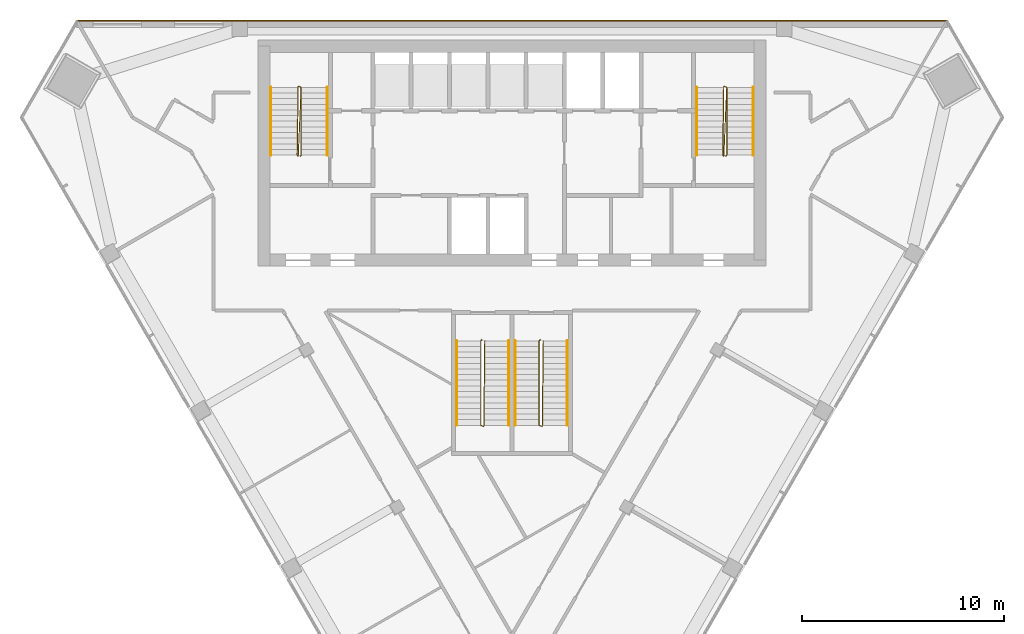
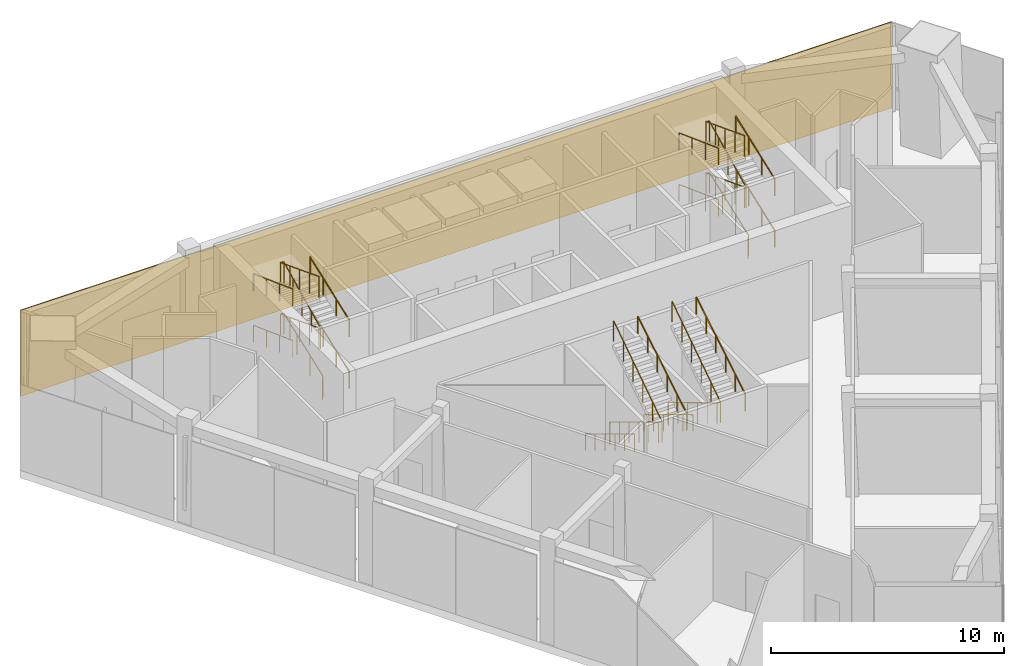
# One storey, part 9 of 10: 16 railings, 1 covering.
"""IFC4 building model written with IfcOpenShell, lengths in metres."""

import ifcopenshell
import ifcopenshell.guid

model = None  # the IFC model being written
_history = None  # IfcOwnerHistory: only IFC2X3 demands one
_inside = {}  # id of a spatial element -> (the spatial element, [elements in it])
_under = {}  # id of a project, library or spatial element -> (it, [spatial elements below it])
_declared = {}  # id of a project -> (the project, [libraries it declares])
_typed = {}  # id of a type object -> (the type object, [elements of that type])
_made_of = {}  # id of a material, layer set ... -> (it, [elements and type objects made of it])


def new_model(schema):
    """Start an empty IFC model of exactly this schema.

    Asked for "IFC4X3", IfcOpenShell would pick the latest addendum, in which some entities
    have other attributes; the version numbers below select the first issue.
    IFC2X3 requires an IfcOwnerHistory on every rooted entity: one is made here for all.
    """
    global model, _history
    if schema == "IFC4X3":
        model = ifcopenshell.file(schema_version=(4, 3, 0, 0))
    else:
        model = ifcopenshell.file(schema=schema)
    _inside.clear()
    _under.clear()
    _declared.clear()
    _typed.clear()
    _made_of.clear()
    _history = None
    if model.schema == "IFC2X3":
        org = make("IfcOrganization", Name="unknown")
        user = make(
            "IfcPersonAndOrganization",
            ThePerson=make("IfcPerson", FamilyName="unknown"),
            TheOrganization=org,
        )
        app = make(
            "IfcApplication",
            ApplicationDeveloper=org,
            Version="unknown",
            ApplicationFullName="unknown",
            ApplicationIdentifier="unknown",
        )
        _history = make(
            "IfcOwnerHistory",
            OwningUser=user,
            OwningApplication=app,
            ChangeAction="ADDED",
            CreationDate=0,
        )
    return model


def make(cls, **values):
    """One entity of the class cls with the attributes given. An attribute that is None is left unset."""
    return model.create_entity(
        cls, **{name: value for name, value in values.items() if value is not None}
    )


def rooted(cls, **values):
    """An entity with a GlobalId (a new one), such as an element, a storey or a relation."""
    return make(cls, GlobalId=ifcopenshell.guid.new(), OwnerHistory=_history, **values)


def si_unit(unit_type, name, prefix=None):
    """IfcSIUnit, for example si_unit("LENGTHUNIT", "METRE", prefix="MILLI")."""
    return make("IfcSIUnit", UnitType=unit_type, Prefix=prefix, Name=name)


def assignment(units):
    """IfcUnitAssignment: the units of a project."""
    return None if units is None else make("IfcUnitAssignment", Units=units)


def point(xyz):
    """IfcCartesianPoint."""
    return None if xyz is None else make("IfcCartesianPoint", Coordinates=xyz)


def direction(xyz):
    """IfcDirection."""
    return None if xyz is None else make("IfcDirection", DirectionRatios=xyz)


def frame(location, z_axis=None, x_axis=None):
    """IfcAxis2Placement3D, a coordinate frame: its origin and axes. An axis left out is left unset."""
    return make(
        "IfcAxis2Placement3D",
        Location=point(location),
        Axis=direction(z_axis),
        RefDirection=direction(x_axis),
    )


def frame_2d(location, x_axis=None):
    """IfcAxis2Placement2D, a coordinate frame in the plane: its origin and x axis."""
    return make(
        "IfcAxis2Placement2D", Location=point(location), RefDirection=direction(x_axis)
    )


def origin():
    """The frame at (0, 0, 0) with its axes left unset."""
    return frame((0.0, 0.0, 0.0))


def origin_2d():
    """The frame at (0, 0) in the plane with its x axis left unset."""
    return frame_2d((0.0, 0.0))


def place(relative_to, where):
    """IfcLocalPlacement: puts the frame where relative to a parent placement (None: the world)."""
    return make(
        "IfcLocalPlacement", PlacementRelTo=relative_to, RelativePlacement=where
    )


def context(
    kind, dimensions, precision=None, world=None, true_north=None, identifier=None
):
    """IfcGeometricRepresentationContext, for example the 3D "Model" context."""
    return make(
        "IfcGeometricRepresentationContext",
        ContextIdentifier=identifier,
        ContextType=kind,
        CoordinateSpaceDimension=dimensions,
        Precision=precision,
        WorldCoordinateSystem=world,
        TrueNorth=true_north,
    )


def subcontext(parent, identifier, kind, view, scale=None):
    """IfcGeometricRepresentationSubContext, for example "Body" below "Model"."""
    return make(
        "IfcGeometricRepresentationSubContext",
        ContextIdentifier=identifier,
        ContextType=kind,
        ParentContext=parent,
        TargetScale=scale,
        TargetView=view,
    )


def project(units=None, contexts=None):
    """IfcProject with its units and contexts."""
    return rooted(
        "IfcProject",
        Name="project",
        RepresentationContexts=contexts,
        UnitsInContext=assignment(units),
    )


def spatial(cls, under=None, at=None, **own):
    """A site, building, storey or space (cls), placed at a placement, below another one or the project."""
    s = rooted(cls, ObjectPlacement=at, **own)
    if under is not None:
        _under.setdefault(under.id(), (under, []))[1].append(s)
    return s


def profile(cls, at=None, kind="AREA", **sizes):
    """A parametric profile (cls). Its sizes go by their IFC names, for example OverallWidth=200.0."""
    return make(cls, ProfileType=kind, Position=at, **sizes)


def rectangle(**sizes):
    """IfcRectangleProfileDef."""
    return profile("IfcRectangleProfileDef", **sizes)


def circle(**sizes):
    """IfcCircleProfileDef."""
    return profile("IfcCircleProfileDef", **sizes)


def extrude(swept, where, along, depth):
    """IfcExtrudedAreaSolid: the profile swept, set in the frame where, extruded along a direction by depth."""
    return make(
        "IfcExtrudedAreaSolid",
        SweptArea=swept,
        Position=where,
        ExtrudedDirection=direction(along),
        Depth=depth,
    )


def shape(context_of_items, identifier, shape_type, items):
    """IfcShapeRepresentation: the items that make up one representation, for example the "Body"."""
    return make(
        "IfcShapeRepresentation",
        ContextOfItems=context_of_items,
        RepresentationIdentifier=identifier,
        RepresentationType=shape_type,
        Items=items,
    )


def material(Name=None, Category=None):
    """IfcMaterial."""
    return make("IfcMaterial", Name=Name, Category=Category)


def layer(
    of_material, thickness, ventilated=None, Name=None, Category=None, Priority=None
):
    """IfcMaterialLayer: one layer of a wall or slab, of a material (None: an air gap)."""
    return make(
        "IfcMaterialLayer",
        Material=of_material,
        LayerThickness=thickness,
        IsVentilated=ventilated,
        Name=Name,
        Category=Category,
        Priority=Priority,
    )


def layer_set(layers, Name=None):
    """IfcMaterialLayerSet."""
    return make("IfcMaterialLayerSet", MaterialLayers=layers, LayerSetName=Name)


def made_of(thing, what):
    """Note that an element or type object is made of a material, layer set ...; save() writes the relation."""
    if what is not None:
        _made_of.setdefault(what.id(), (what, []))[1].append(thing)
    return thing


def type_object(cls, material=None, **own):
    """A type object (cls), such as IfcWallType, which elements share."""
    return made_of(rooted(cls, **own), material)


def element(
    cls,
    number,
    at=None,
    inside=None,
    cuts=None,
    type_object=None,
    material=None,
    context=None,
    identifier="Body",
    shape_type=None,
    held_by="IfcProductDefinitionShape",
    body=None,
    shapes=None,
    **own,
):
    """One element of the class cls, such as IfcWall. Its Tag is "e" and its number.

    at: its placement. inside: the storey or other place that contains it. cuts: it is an
    opening in that element (IfcRelVoidsElement). A single representation is given by context,
    identifier, shape_type and body (its items); several are given by shapes. held_by: the class
    of the entity that holds the representations. save() writes the other relations.
    """
    e = rooted(cls, Tag="e%d" % number, ObjectPlacement=at, **own)
    if body is not None:
        shapes = [shape(context, identifier, shape_type, body)]
    if shapes is not None:
        e.Representation = make(held_by, Representations=shapes)
    if inside is not None:
        _inside.setdefault(inside.id(), (inside, []))[1].append(e)
    if cuts is not None:
        rooted(
            "IfcRelVoidsElement", RelatingBuildingElement=cuts, RelatedOpeningElement=e
        )
    if type_object is not None:
        _typed.setdefault(type_object.id(), (type_object, []))[1].append(e)
    return made_of(e, material)


def aggregate(whole, parts):
    """IfcRelAggregates: a whole, such as a stair, and the parts it consists of."""
    return rooted("IfcRelAggregates", RelatingObject=whole, RelatedObjects=parts)


def save(model, path):
    """Write the relations noted so far, then the file.

    IfcRelAggregates (storeys below a building ...), IfcRelContainedInSpatialStructure (elements
    in a storey), IfcRelDefinesByType, IfcRelAssociatesMaterial and IfcRelDeclares: one each for
    every whole, place, type object, material and project.
    """
    for whole, parts in _under.values():
        aggregate(whole, parts)
    for where, things in _inside.values():
        rooted(
            "IfcRelContainedInSpatialStructure",
            RelatedElements=things,
            RelatingStructure=where,
        )
    for kind, things in _typed.values():
        rooted("IfcRelDefinesByType", RelatedObjects=things, RelatingType=kind)
    for what, things in _made_of.values():
        rooted("IfcRelAssociatesMaterial", RelatedObjects=things, RelatingMaterial=what)
    for by, libraries in _declared.values():
        rooted("IfcRelDeclares", RelatingContext=by, RelatedDefinitions=libraries)
    model.write(path)


model = new_model("IFC4")

# Units and contexts
model_context = context("Model", 3, precision=1e-05, world=origin(), true_north=direction((0.0, 1.0)))
body_context = subcontext(model_context, "Body", "Model", "MODEL_VIEW")
ifc_project = project(units=[si_unit("LENGTHUNIT", "METRE"), si_unit("AREAUNIT", "SQUARE_METRE"), si_unit("VOLUMEUNIT", "CUBIC_METRE"), si_unit("PLANEANGLEUNIT", "RADIAN"), si_unit("MASSUNIT", "GRAM", prefix="KILO")], contexts=[model_context])

# Site, building, storey
site_placement = place(None, origin())
site = spatial("IfcSite", under=ifc_project, at=site_placement, CompositionType="ELEMENT")
building_placement = place(site_placement, origin())
building = spatial("IfcBuilding", under=site, at=building_placement, Name="Altiplano Prism Tower", CompositionType="ELEMENT")
storey_placement = place(building_placement, frame((0.0, 0.0, 233.800048828125)))
storey = spatial("IfcBuildingStorey", under=building, at=storey_placement, Name="L60", CompositionType="ELEMENT", Elevation=233.800048828125)

# Railings
ifc_material_1 = material(Name="Steel S355", Category="steel")
railing_type_1 = type_object("IfcRailingType", Name="Stair guard 1100", PredefinedType="GUARDRAIL", material=ifc_material_1)
railing_1_placement = place(storey_placement, frame((74.5, 98.25, 0.0)))
element("IfcRailing", 1, at=railing_1_placement, inside=storey, type_object=railing_type_1, Name="L60 ST1 stair guard 1", PredefinedType="GUARDRAIL", context=body_context, shape_type="SweptSolid", body=[
    extrude(circle(Radius=0.02392578125, at=origin_2d()), frame((0.0, 0.0, 1.076171875), z_axis=(0.398471624337, 0.398471624337, 0.826099708992), x_axis=(-0.707106781187, 0.707106781187, 0.0)), (0.0, 0.0, 1.0), 0.12548828125),
    extrude(circle(Radius=0.02392578125, at=origin_2d()), frame((0.050048828125, 0.050048828125, 1.1796875), z_axis=(0.0, 0.937594165028, 0.347731479313), x_axis=(-1.0, 0.0, 0.0)), (0.0, 0.0, 1.0), 3.58349609375),
    extrude(circle(Radius=0.02392578125, at=origin_2d()), frame((0.050048828125, 3.409912109375, 2.42578125), z_axis=(-0.948683298051, 0.316227766017, 0.0), x_axis=(-0.316227766017, -0.948683298051, 0.0)), (0.0, 0.0, 1.0), 0.158203125),
    extrude(circle(Radius=0.02392578125, at=origin_2d()), frame((-0.10009765625, 3.4599609375, 2.42578125), z_axis=(-0.013578905562, -0.929689088164, 0.368094841952), x_axis=(0.999893351539, -0.01460429897, 0.0)), (0.0, 0.0, 1.0), 3.667724609375),
    extrude(circle(Radius=0.02392578125, at=origin_2d()), frame((-0.14990234375, 0.050048828125, 3.77587890625), z_axis=(0.705375805398, -0.708833529934, 0.0), x_axis=(0.708833529934, 0.705375805398, 0.0)), (0.0, 0.0, 1.0), 0.070556640625),
    extrude(circle(Radius=0.02392578125, at=origin_2d()), frame((-0.10009765625, 0.0, 3.77587890625), z_axis=(0.040905914243, 0.928996592253, 0.367820659781), x_axis=(-0.99903198295, 0.043989737919, 0.0)), (0.0, 0.0, 1.0), 3.670654296875),
    extrude(circle(Radius=0.02392578125, at=origin_2d()), frame((0.050048828125, 3.409912109375, 5.1259765625), z_axis=(-0.948683298051, 0.316227766017, 0.0), x_axis=(-0.316227766017, -0.948683298051, 0.0)), (0.0, 0.0, 1.0), 0.158203125),
    extrude(circle(Radius=0.02392578125, at=origin_2d()), frame((-0.10009765625, 3.4599609375, 5.1259765625), z_axis=(-0.013579238249, -0.929711865806, 0.368037295485), x_axis=(0.999893351539, -0.01460429897, 0.0)), (0.0, 0.0, 1.0), 3.667724609375),
    extrude(circle(Radius=0.02099609375, at=origin_2d()), origin(), (0.0, 0.0, 1.0), 1.052001953125),
    extrude(circle(Radius=0.02099609375, at=origin_2d()), frame((0.050048828125, 0.050048828125, 0.103759765625)), (0.0, 0.0, 1.0), 1.052001953125),
    extrude(circle(Radius=0.02099609375, at=origin_2d()), frame((0.050048828125, 1.169921875, 0.51904296875)), (0.0, 0.0, 1.0), 1.052001953125),
    extrude(circle(Radius=0.02099609375, at=origin_2d()), frame((0.050048828125, 2.2900390625, 0.9345703125)), (0.0, 0.0, 1.0), 1.052001953125),
    extrude(circle(Radius=0.02099609375, at=origin_2d()), frame((0.050048828125, 3.409912109375, 1.349853515625)), (0.0, 0.0, 1.0), 1.052001953125),
    extrude(circle(Radius=0.02099609375, at=origin_2d()), frame((-0.10009765625, 3.4599609375, 1.349853515625)), (0.0, 0.0, 1.0), 1.052001953125),
    extrude(circle(Radius=0.02099609375, at=origin_2d()), frame((-0.112548828125, 2.607421875, 1.6875)), (0.0, 0.0, 1.0), 1.052001953125),
    extrude(circle(Radius=0.02099609375, at=origin_2d()), frame((-0.125, 1.7548828125, 2.02490234375)), (0.0, 0.0, 1.0), 1.052001953125),
    extrude(circle(Radius=0.02099609375, at=origin_2d()), frame((-0.137451171875, 0.902587890625, 2.3623046875)), (0.0, 0.0, 1.0), 1.052001953125),
    extrude(circle(Radius=0.02099609375, at=origin_2d()), frame((-0.14990234375, 0.050048828125, 2.699951171875)), (0.0, 0.0, 1.0), 1.052001953125),
    extrude(circle(Radius=0.02099609375, at=origin_2d()), frame((-0.10009765625, 0.0, 2.699951171875)), (0.0, 0.0, 1.0), 1.052001953125),
    extrude(circle(Radius=0.02099609375, at=origin_2d()), frame((-0.0625, 0.8525390625, 3.03759765625)), (0.0, 0.0, 1.0), 1.052001953125),
    extrude(circle(Radius=0.02099609375, at=origin_2d()), frame((-0.02490234375, 1.705078125, 3.375)), (0.0, 0.0, 1.0), 1.052001953125),
    extrude(circle(Radius=0.02099609375, at=origin_2d()), frame((0.012451171875, 2.557373046875, 3.71240234375)), (0.0, 0.0, 1.0), 1.052001953125),
    extrude(circle(Radius=0.02099609375, at=origin_2d()), frame((0.050048828125, 3.409912109375, 4.050048828125)), (0.0, 0.0, 1.0), 1.052001953125),
    extrude(circle(Radius=0.02099609375, at=origin_2d()), frame((-0.10009765625, 3.4599609375, 4.050048828125)), (0.0, 0.0, 1.0), 1.052001953125),
    extrude(circle(Radius=0.02099609375, at=origin_2d()), frame((-0.112548828125, 2.607421875, 4.387451171875)), (0.0, 0.0, 1.0), 1.052001953125),
    extrude(circle(Radius=0.02099609375, at=origin_2d()), frame((-0.125, 1.7548828125, 4.72509765625)), (0.0, 0.0, 1.0), 1.052001953125),
    extrude(circle(Radius=0.02099609375, at=origin_2d()), frame((-0.137451171875, 0.902587890625, 5.0625)), (0.0, 0.0, 1.0), 1.052001953125),
    extrude(circle(Radius=0.02099609375, at=origin_2d()), frame((-0.14990234375, 0.050048828125, 5.39990234375)), (0.0, 0.0, 1.0), 1.052001953125),
])
railing_2_placement = place(storey_placement, frame((95.60009765625, 98.25, 0.0)))
element("IfcRailing", 2, at=railing_2_placement, inside=storey, type_object=railing_type_1, Name="L60 ST2 stair guard 1", PredefinedType="GUARDRAIL", context=body_context, shape_type="SweptSolid", body=[
    extrude(circle(Radius=0.02392578125, at=origin_2d()), frame((0.0, 0.0, 1.076171875), z_axis=(0.396834591399, 0.398779859004, 0.826738732081), x_axis=(-0.708833529934, 0.705375805398, 0.0)), (0.0, 0.0, 1.0), 0.12548828125),
    extrude(circle(Radius=0.02392578125, at=origin_2d()), frame((0.0498046875, 0.050048828125, 1.1796875), z_axis=(0.0, 0.937594165028, 0.347731479313), x_axis=(-1.0, 0.0, 0.0)), (0.0, 0.0, 1.0), 3.58349609375),
    extrude(circle(Radius=0.02392578125, at=origin_2d()), frame((0.0498046875, 3.409912109375, 2.42578125), z_axis=(-0.948528701346, 0.316691178788, 0.0), x_axis=(-0.316691178788, -0.948528701346, 0.0)), (0.0, 0.0, 1.0), 0.157958984375),
    extrude(circle(Radius=0.02392578125, at=origin_2d()), frame((-0.10009765625, 3.4599609375, 2.42578125), z_axis=(-0.013645456461, -0.929688245801, 0.368094508433), x_axis=(0.999892303572, -0.014675873289, 0.0)), (0.0, 0.0, 1.0), 3.667724609375),
    extrude(circle(Radius=0.02392578125, at=origin_2d()), frame((-0.150146484375, 0.050048828125, 3.77587890625), z_axis=(0.707106781187, -0.707106781187, 0.0), x_axis=(0.707106781187, 0.707106781187, 0.0)), (0.0, 0.0, 1.0), 0.07080078125),
    extrude(circle(Radius=0.02392578125, at=origin_2d()), frame((-0.10009765625, 0.0, 3.77587890625), z_axis=(0.040839511588, 0.928999117825, 0.367821659739), x_axis=(-0.999035123863, 0.043918347967, 0.0)), (0.0, 0.0, 1.0), 3.67041015625),
    extrude(circle(Radius=0.02392578125, at=origin_2d()), frame((0.0498046875, 3.409912109375, 5.1259765625), z_axis=(-0.948528701346, 0.316691178788, 0.0), x_axis=(-0.316691178788, -0.948528701346, 0.0)), (0.0, 0.0, 1.0), 0.157958984375),
    extrude(circle(Radius=0.02392578125, at=origin_2d()), frame((-0.10009765625, 3.4599609375, 5.1259765625), z_axis=(-0.013645790778, -0.92971102338, 0.368036962001), x_axis=(0.999892303572, -0.014675873289, 0.0)), (0.0, 0.0, 1.0), 3.667724609375),
    extrude(circle(Radius=0.02099609375, at=origin_2d()), origin(), (0.0, 0.0, 1.0), 1.052001953125),
    extrude(circle(Radius=0.02099609375, at=origin_2d()), frame((0.0498046875, 0.050048828125, 0.103759765625)), (0.0, 0.0, 1.0), 1.052001953125),
    extrude(circle(Radius=0.02099609375, at=origin_2d()), frame((0.0498046875, 1.169921875, 0.51904296875)), (0.0, 0.0, 1.0), 1.052001953125),
    extrude(circle(Radius=0.02099609375, at=origin_2d()), frame((0.0498046875, 2.2900390625, 0.9345703125)), (0.0, 0.0, 1.0), 1.052001953125),
    extrude(circle(Radius=0.02099609375, at=origin_2d()), frame((0.0498046875, 3.409912109375, 1.349853515625)), (0.0, 0.0, 1.0), 1.052001953125),
    extrude(circle(Radius=0.02099609375, at=origin_2d()), frame((-0.10009765625, 3.4599609375, 1.349853515625)), (0.0, 0.0, 1.0), 1.052001953125),
    extrude(circle(Radius=0.02099609375, at=origin_2d()), frame((-0.112548828125, 2.607421875, 1.6875)), (0.0, 0.0, 1.0), 1.052001953125),
    extrude(circle(Radius=0.02099609375, at=origin_2d()), frame((-0.125, 1.7548828125, 2.02490234375)), (0.0, 0.0, 1.0), 1.052001953125),
    extrude(circle(Radius=0.02099609375, at=origin_2d()), frame((-0.1376953125, 0.902587890625, 2.3623046875)), (0.0, 0.0, 1.0), 1.052001953125),
    extrude(circle(Radius=0.02099609375, at=origin_2d()), frame((-0.150146484375, 0.050048828125, 2.699951171875)), (0.0, 0.0, 1.0), 1.052001953125),
    extrude(circle(Radius=0.02099609375, at=origin_2d()), frame((-0.10009765625, 0.0, 2.699951171875)), (0.0, 0.0, 1.0), 1.052001953125),
    extrude(circle(Radius=0.02099609375, at=origin_2d()), frame((-0.0625, 0.8525390625, 3.03759765625)), (0.0, 0.0, 1.0), 1.052001953125),
    extrude(circle(Radius=0.02099609375, at=origin_2d()), frame((-0.025146484375, 1.705078125, 3.375)), (0.0, 0.0, 1.0), 1.052001953125),
    extrude(circle(Radius=0.02099609375, at=origin_2d()), frame((0.01220703125, 2.557373046875, 3.71240234375)), (0.0, 0.0, 1.0), 1.052001953125),
    extrude(circle(Radius=0.02099609375, at=origin_2d()), frame((0.0498046875, 3.409912109375, 4.050048828125)), (0.0, 0.0, 1.0), 1.052001953125),
    extrude(circle(Radius=0.02099609375, at=origin_2d()), frame((-0.10009765625, 3.4599609375, 4.050048828125)), (0.0, 0.0, 1.0), 1.052001953125),
    extrude(circle(Radius=0.02099609375, at=origin_2d()), frame((-0.112548828125, 2.607421875, 4.387451171875)), (0.0, 0.0, 1.0), 1.052001953125),
    extrude(circle(Radius=0.02099609375, at=origin_2d()), frame((-0.125, 1.7548828125, 4.72509765625)), (0.0, 0.0, 1.0), 1.052001953125),
    extrude(circle(Radius=0.02099609375, at=origin_2d()), frame((-0.1376953125, 0.902587890625, 5.0625)), (0.0, 0.0, 1.0), 1.052001953125),
    extrude(circle(Radius=0.02099609375, at=origin_2d()), frame((-0.150146484375, 0.050048828125, 5.39990234375)), (0.0, 0.0, 1.0), 1.052001953125),
])
railing_3_placement = place(storey_placement, frame((83.5, 89.14990234375, 0.0)))
element("IfcRailing", 3, at=railing_3_placement, inside=storey, type_object=railing_type_1, Name="L60 ST3A stair guard 1", PredefinedType="GUARDRAIL", context=body_context, shape_type="SweptSolid", body=[
    extrude(circle(Radius=0.02392578125, at=origin_2d()), frame((0.0, 0.0, 1.076171875), z_axis=(-0.273668752699, -0.272333783174, 0.922463942026), x_axis=(0.705375805398, -0.708833529934, 0.0)), (0.0, 0.0, 1.0), 0.182861328125),
    extrude(circle(Radius=0.02392578125, at=origin_2d()), frame((-0.050048828125, -0.0498046875, 1.24462890625), z_axis=(0.0, -0.856489757249, 0.516164020179), x_axis=(1.0, 0.0, 0.0)), (0.0, 0.0, 1.0), 4.904052734375),
    extrude(circle(Radius=0.02392578125, at=origin_2d()), frame((-0.050048828125, -4.25, 3.77587890625), z_axis=(0.949145278916, -0.314838433982, 0.0), x_axis=(0.314838433982, 0.949145278916, 0.0)), (0.0, 0.0, 1.0), 0.158203125),
    extrude(circle(Radius=0.02392578125, at=origin_2d()), frame((0.10009765625, -4.2998046875, 3.77587890625), z_axis=(0.009891014468, 0.844033234581, 0.536199651955), x_axis=(-0.999931342521, 0.01171794542, 0.0)), (0.0, 0.0, 1.0), 5.035400390625),
    extrude(circle(Radius=0.02099609375, at=origin_2d()), origin(), (0.0, 0.0, 1.0), 1.052001953125),
    extrude(circle(Radius=0.02099609375, at=origin_2d()), frame((-0.050048828125, -0.0498046875, 0.168701171875)), (0.0, 0.0, 1.0), 1.052001953125),
    extrude(circle(Radius=0.02099609375, at=origin_2d()), frame((-0.050048828125, -0.889892578125, 0.675048828125)), (0.0, 0.0, 1.0), 1.052001953125),
    extrude(circle(Radius=0.02099609375, at=origin_2d()), frame((-0.050048828125, -1.72998046875, 1.18115234375)), (0.0, 0.0, 1.0), 1.052001953125),
    extrude(circle(Radius=0.02099609375, at=origin_2d()), frame((-0.050048828125, -2.56982421875, 1.6875)), (0.0, 0.0, 1.0), 1.052001953125),
    extrude(circle(Radius=0.02099609375, at=origin_2d()), frame((-0.050048828125, -3.409912109375, 2.193603515625)), (0.0, 0.0, 1.0), 1.052001953125),
    extrude(circle(Radius=0.02099609375, at=origin_2d()), frame((-0.050048828125, -4.25, 2.699951171875)), (0.0, 0.0, 1.0), 1.052001953125),
    extrude(circle(Radius=0.02099609375, at=origin_2d()), frame((0.10009765625, -4.2998046875, 2.699951171875)), (0.0, 0.0, 1.0), 1.052001953125),
    extrude(circle(Radius=0.02099609375, at=origin_2d()), frame((0.110107421875, -3.44970703125, 3.239990234375)), (0.0, 0.0, 1.0), 1.052001953125),
    extrude(circle(Radius=0.02099609375, at=origin_2d()), frame((0.1201171875, -2.599853515625, 3.780029296875)), (0.0, 0.0, 1.0), 1.052001953125),
    extrude(circle(Radius=0.02099609375, at=origin_2d()), frame((0.1298828125, -1.749755859375, 4.31982421875)), (0.0, 0.0, 1.0), 1.052001953125),
    extrude(circle(Radius=0.02099609375, at=origin_2d()), frame((0.139892578125, -0.89990234375, 4.85986328125)), (0.0, 0.0, 1.0), 1.052001953125),
    extrude(circle(Radius=0.02099609375, at=origin_2d()), frame((0.14990234375, -0.0498046875, 5.39990234375)), (0.0, 0.0, 1.0), 1.052001953125),
])
railing_4_placement = place(storey_placement, frame((86.39990234375, 89.14990234375, 0.0)))
element("IfcRailing", 4, at=railing_4_placement, inside=storey, type_object=railing_type_1, Name="L60 ST3B stair guard 1", PredefinedType="GUARDRAIL", context=body_context, shape_type="SweptSolid", body=[
    extrude(circle(Radius=0.02392578125, at=origin_2d()), frame((0.0, 0.0, 1.076171875), z_axis=(-0.272433089069, -0.272433089069, 0.922800316407), x_axis=(0.707106781187, -0.707106781187, 0.0)), (0.0, 0.0, 1.0), 0.182861328125),
    extrude(circle(Radius=0.02392578125, at=origin_2d()), frame((-0.0498046875, -0.0498046875, 1.24462890625), z_axis=(0.0, -0.856489757249, 0.516164020179), x_axis=(1.0, 0.0, 0.0)), (0.0, 0.0, 1.0), 4.904052734375),
    extrude(circle(Radius=0.02392578125, at=origin_2d()), frame((-0.0498046875, -4.25, 3.77587890625), z_axis=(0.948991962702, -0.315300261223, 0.0), x_axis=(0.315300261223, 0.948991962702, 0.0)), (0.0, 0.0, 1.0), 0.157958984375),
    extrude(circle(Radius=0.02392578125, at=origin_2d()), frame((0.10009765625, -4.2998046875, 3.77587890625), z_axis=(0.009939495054, 0.844032828816, 0.53619939418), x_axis=(-0.999930667828, 0.011775378384, 0.0)), (0.0, 0.0, 1.0), 5.035400390625),
    extrude(circle(Radius=0.02099609375, at=origin_2d()), origin(), (0.0, 0.0, 1.0), 1.052001953125),
    extrude(circle(Radius=0.02099609375, at=origin_2d()), frame((-0.0498046875, -0.0498046875, 0.168701171875)), (0.0, 0.0, 1.0), 1.052001953125),
    extrude(circle(Radius=0.02099609375, at=origin_2d()), frame((-0.0498046875, -0.889892578125, 0.675048828125)), (0.0, 0.0, 1.0), 1.052001953125),
    extrude(circle(Radius=0.02099609375, at=origin_2d()), frame((-0.0498046875, -1.72998046875, 1.18115234375)), (0.0, 0.0, 1.0), 1.052001953125),
    extrude(circle(Radius=0.02099609375, at=origin_2d()), frame((-0.0498046875, -2.56982421875, 1.6875)), (0.0, 0.0, 1.0), 1.052001953125),
    extrude(circle(Radius=0.02099609375, at=origin_2d()), frame((-0.0498046875, -3.409912109375, 2.193603515625)), (0.0, 0.0, 1.0), 1.052001953125),
    extrude(circle(Radius=0.02099609375, at=origin_2d()), frame((-0.0498046875, -4.25, 2.699951171875)), (0.0, 0.0, 1.0), 1.052001953125),
    extrude(circle(Radius=0.02099609375, at=origin_2d()), frame((0.10009765625, -4.2998046875, 2.699951171875)), (0.0, 0.0, 1.0), 1.052001953125),
    extrude(circle(Radius=0.02099609375, at=origin_2d()), frame((0.110107421875, -3.44970703125, 3.239990234375)), (0.0, 0.0, 1.0), 1.052001953125),
    extrude(circle(Radius=0.02099609375, at=origin_2d()), frame((0.1201171875, -2.599853515625, 3.780029296875)), (0.0, 0.0, 1.0), 1.052001953125),
    extrude(circle(Radius=0.02099609375, at=origin_2d()), frame((0.130126953125, -1.749755859375, 4.31982421875)), (0.0, 0.0, 1.0), 1.052001953125),
    extrude(circle(Radius=0.02099609375, at=origin_2d()), frame((0.14013671875, -0.89990234375, 4.85986328125)), (0.0, 0.0, 1.0), 1.052001953125),
    extrude(circle(Radius=0.02099609375, at=origin_2d()), frame((0.150146484375, -0.0498046875, 5.39990234375)), (0.0, 0.0, 1.0), 1.052001953125),
])
railing_type_2 = type_object("IfcRailingType", Name="Stair handrail 900", PredefinedType="HANDRAIL", material=ifc_material_1)
railing_5_placement = place(storey_placement, frame((75.85009765625, 98.300048828125, 0.103759765625)))
element("IfcRailing", 5, at=railing_5_placement, inside=storey, type_object=railing_type_2, Name="L60 ST1 stair handrail 1", PredefinedType="HANDRAIL", context=body_context, shape_type="SweptSolid", body=[
    extrude(circle(Radius=0.02392578125, at=origin_2d()), frame((0.0, 0.0, 0.8759765625), z_axis=(0.0, 0.937594165028, 0.347731479313), x_axis=(-1.0, 0.0, 0.0)), (0.0, 0.0, 1.0), 3.58349609375),
    extrude(circle(Radius=0.02099609375, at=origin_2d()), origin(), (0.0, 0.0, 1.0), 0.851806640625),
    extrude(circle(Radius=0.02099609375, at=origin_2d()), frame((0.0, 1.119873046875, 0.415283203125)), (0.0, 0.0, 1.0), 0.851806640625),
    extrude(circle(Radius=0.02099609375, at=origin_2d()), frame((0.0, 2.239990234375, 0.830810546875)), (0.0, 0.0, 1.0), 0.851806640625),
    extrude(circle(Radius=0.02099609375, at=origin_2d()), frame((0.0, 3.35986328125, 1.24609375)), (0.0, 0.0, 1.0), 0.851806640625),
])
railing_6_placement = place(storey_placement, frame((73.050048828125, 101.659912109375, 1.453857421875)))
element("IfcRailing", 6, at=railing_6_placement, inside=storey, type_object=railing_type_2, Name="L60 ST1 stair handrail 2", PredefinedType="HANDRAIL", context=body_context, shape_type="SweptSolid", body=[
    extrude(circle(Radius=0.02392578125, at=origin_2d()), frame((0.0, 0.0, 0.8759765625), z_axis=(0.0, -0.937594165028, 0.347731479313), x_axis=(1.0, 0.0, 0.0)), (0.0, 0.0, 1.0), 3.58349609375),
    extrude(circle(Radius=0.02099609375, at=origin_2d()), origin(), (0.0, 0.0, 1.0), 0.851806640625),
    extrude(circle(Radius=0.02099609375, at=origin_2d()), frame((0.0, -1.119873046875, 0.415283203125)), (0.0, 0.0, 1.0), 0.851806640625),
    extrude(circle(Radius=0.02099609375, at=origin_2d()), frame((0.0, -2.239990234375, 0.830810546875)), (0.0, 0.0, 1.0), 0.851806640625),
    extrude(circle(Radius=0.02099609375, at=origin_2d()), frame((0.0, -3.35986328125, 1.24609375)), (0.0, 0.0, 1.0), 0.851806640625),
])
railing_7_placement = place(storey_placement, frame((75.85009765625, 98.300048828125, 2.8037109375)))
element("IfcRailing", 7, at=railing_7_placement, inside=storey, type_object=railing_type_2, Name="L60 ST1 stair handrail 3", PredefinedType="HANDRAIL", context=body_context, shape_type="SweptSolid", body=[
    extrude(circle(Radius=0.02392578125, at=origin_2d()), frame((0.0, 0.0, 0.8759765625), z_axis=(0.0, 0.937571951407, 0.347791368401), x_axis=(-1.0, 0.0, 0.0)), (0.0, 0.0, 1.0), 3.58349609375),
    extrude(circle(Radius=0.02099609375, at=origin_2d()), origin(), (0.0, 0.0, 1.0), 0.851806640625),
    extrude(circle(Radius=0.02099609375, at=origin_2d()), frame((0.0, 1.119873046875, 0.41552734375)), (0.0, 0.0, 1.0), 0.851806640625),
    extrude(circle(Radius=0.02099609375, at=origin_2d()), frame((0.0, 2.239990234375, 0.830810546875)), (0.0, 0.0, 1.0), 0.851806640625),
    extrude(circle(Radius=0.02099609375, at=origin_2d()), frame((0.0, 3.35986328125, 1.246337890625)), (0.0, 0.0, 1.0), 0.851806640625),
])
railing_8_placement = place(storey_placement, frame((73.050048828125, 101.659912109375, 4.15380859375)))
element("IfcRailing", 8, at=railing_8_placement, inside=storey, type_object=railing_type_2, Name="L60 ST1 stair handrail 4", PredefinedType="HANDRAIL", context=body_context, shape_type="SweptSolid", body=[
    extrude(circle(Radius=0.02392578125, at=origin_2d()), frame((0.0, 0.0, 0.8759765625), z_axis=(0.0, -0.937594165028, 0.347731479313), x_axis=(1.0, 0.0, 0.0)), (0.0, 0.0, 1.0), 3.58349609375),
    extrude(circle(Radius=0.02099609375, at=origin_2d()), origin(), (0.0, 0.0, 1.0), 0.851806640625),
    extrude(circle(Radius=0.02099609375, at=origin_2d()), frame((0.0, -1.119873046875, 0.415283203125)), (0.0, 0.0, 1.0), 0.851806640625),
    extrude(circle(Radius=0.02099609375, at=origin_2d()), frame((0.0, -2.239990234375, 0.830810546875)), (0.0, 0.0, 1.0), 0.851806640625),
    extrude(circle(Radius=0.02099609375, at=origin_2d()), frame((0.0, -3.35986328125, 1.24609375)), (0.0, 0.0, 1.0), 0.851806640625),
])
railing_9_placement = place(storey_placement, frame((96.949951171875, 98.300048828125, 0.103759765625)))
element("IfcRailing", 9, at=railing_9_placement, inside=storey, type_object=railing_type_2, Name="L60 ST2 stair handrail 1", PredefinedType="HANDRAIL", context=body_context, shape_type="SweptSolid", body=[
    extrude(circle(Radius=0.02392578125, at=origin_2d()), frame((0.0, 0.0, 0.8759765625), z_axis=(0.0, 0.937594165028, 0.347731479313), x_axis=(-1.0, 0.0, 0.0)), (0.0, 0.0, 1.0), 3.58349609375),
    extrude(circle(Radius=0.02099609375, at=origin_2d()), origin(), (0.0, 0.0, 1.0), 0.851806640625),
    extrude(circle(Radius=0.02099609375, at=origin_2d()), frame((0.0, 1.119873046875, 0.415283203125)), (0.0, 0.0, 1.0), 0.851806640625),
    extrude(circle(Radius=0.02099609375, at=origin_2d()), frame((0.0, 2.239990234375, 0.830810546875)), (0.0, 0.0, 1.0), 0.851806640625),
    extrude(circle(Radius=0.02099609375, at=origin_2d()), frame((0.0, 3.35986328125, 1.24609375)), (0.0, 0.0, 1.0), 0.851806640625),
])
railing_10_placement = place(storey_placement, frame((94.14990234375, 101.659912109375, 1.453857421875)))
element("IfcRailing", 10, at=railing_10_placement, inside=storey, type_object=railing_type_2, Name="L60 ST2 stair handrail 2", PredefinedType="HANDRAIL", context=body_context, shape_type="SweptSolid", body=[
    extrude(circle(Radius=0.02392578125, at=origin_2d()), frame((0.0, 0.0, 0.8759765625), z_axis=(0.0, -0.937594165028, 0.347731479313), x_axis=(1.0, 0.0, 0.0)), (0.0, 0.0, 1.0), 3.58349609375),
    extrude(circle(Radius=0.02099609375, at=origin_2d()), origin(), (0.0, 0.0, 1.0), 0.851806640625),
    extrude(circle(Radius=0.02099609375, at=origin_2d()), frame((0.0, -1.119873046875, 0.415283203125)), (0.0, 0.0, 1.0), 0.851806640625),
    extrude(circle(Radius=0.02099609375, at=origin_2d()), frame((0.0, -2.239990234375, 0.830810546875)), (0.0, 0.0, 1.0), 0.851806640625),
    extrude(circle(Radius=0.02099609375, at=origin_2d()), frame((0.0, -3.35986328125, 1.24609375)), (0.0, 0.0, 1.0), 0.851806640625),
])
railing_11_placement = place(storey_placement, frame((96.949951171875, 98.300048828125, 2.8037109375)))
element("IfcRailing", 11, at=railing_11_placement, inside=storey, type_object=railing_type_2, Name="L60 ST2 stair handrail 3", PredefinedType="HANDRAIL", context=body_context, shape_type="SweptSolid", body=[
    extrude(circle(Radius=0.02392578125, at=origin_2d()), frame((0.0, 0.0, 0.8759765625), z_axis=(0.0, 0.937571951407, 0.347791368401), x_axis=(-1.0, 0.0, 0.0)), (0.0, 0.0, 1.0), 3.58349609375),
    extrude(circle(Radius=0.02099609375, at=origin_2d()), origin(), (0.0, 0.0, 1.0), 0.851806640625),
    extrude(circle(Radius=0.02099609375, at=origin_2d()), frame((0.0, 1.119873046875, 0.41552734375)), (0.0, 0.0, 1.0), 0.851806640625),
    extrude(circle(Radius=0.02099609375, at=origin_2d()), frame((0.0, 2.239990234375, 0.830810546875)), (0.0, 0.0, 1.0), 0.851806640625),
    extrude(circle(Radius=0.02099609375, at=origin_2d()), frame((0.0, 3.35986328125, 1.246337890625)), (0.0, 0.0, 1.0), 0.851806640625),
])
railing_12_placement = place(storey_placement, frame((94.14990234375, 101.659912109375, 4.15380859375)))
element("IfcRailing", 12, at=railing_12_placement, inside=storey, type_object=railing_type_2, Name="L60 ST2 stair handrail 4", PredefinedType="HANDRAIL", context=body_context, shape_type="SweptSolid", body=[
    extrude(circle(Radius=0.02392578125, at=origin_2d()), frame((0.0, 0.0, 0.8759765625), z_axis=(0.0, -0.937594165028, 0.347731479313), x_axis=(1.0, 0.0, 0.0)), (0.0, 0.0, 1.0), 3.58349609375),
    extrude(circle(Radius=0.02099609375, at=origin_2d()), origin(), (0.0, 0.0, 1.0), 0.851806640625),
    extrude(circle(Radius=0.02099609375, at=origin_2d()), frame((0.0, -1.119873046875, 0.415283203125)), (0.0, 0.0, 1.0), 0.851806640625),
    extrude(circle(Radius=0.02099609375, at=origin_2d()), frame((0.0, -2.239990234375, 0.830810546875)), (0.0, 0.0, 1.0), 0.851806640625),
    extrude(circle(Radius=0.02099609375, at=origin_2d()), frame((0.0, -3.35986328125, 1.24609375)), (0.0, 0.0, 1.0), 0.851806640625),
])
railing_13_placement = place(storey_placement, frame((82.25, 89.10009765625, 0.168701171875)))
element("IfcRailing", 13, at=railing_13_placement, inside=storey, type_object=railing_type_2, Name="L60 ST3A stair handrail 1", PredefinedType="HANDRAIL", context=body_context, shape_type="SweptSolid", body=[
    extrude(circle(Radius=0.02392578125, at=origin_2d()), frame((0.0, 0.0, 0.8759765625), z_axis=(0.0, -0.856489757249, 0.516164020179), x_axis=(1.0, 0.0, 0.0)), (0.0, 0.0, 1.0), 4.904052734375),
    extrude(circle(Radius=0.02099609375, at=origin_2d()), origin(), (0.0, 0.0, 1.0), 0.851806640625),
    extrude(circle(Radius=0.02099609375, at=origin_2d()), frame((0.0, -0.840087890625, 0.50634765625)), (0.0, 0.0, 1.0), 0.851806640625),
    extrude(circle(Radius=0.02099609375, at=origin_2d()), frame((0.0, -1.68017578125, 1.012451171875)), (0.0, 0.0, 1.0), 0.851806640625),
    extrude(circle(Radius=0.02099609375, at=origin_2d()), frame((0.0, -2.52001953125, 1.518798828125)), (0.0, 0.0, 1.0), 0.851806640625),
    extrude(circle(Radius=0.02099609375, at=origin_2d()), frame((0.0, -3.360107421875, 2.02490234375)), (0.0, 0.0, 1.0), 0.851806640625),
    extrude(circle(Radius=0.02099609375, at=origin_2d()), frame((0.0, -4.2001953125, 2.53125)), (0.0, 0.0, 1.0), 0.851806640625),
])
railing_14_placement = place(storey_placement, frame((84.85009765625, 84.89990234375, 2.86865234375)))
element("IfcRailing", 14, at=railing_14_placement, inside=storey, type_object=railing_type_2, Name="L60 ST3A stair handrail 2", PredefinedType="HANDRAIL", context=body_context, shape_type="SweptSolid", body=[
    extrude(circle(Radius=0.02392578125, at=origin_2d()), frame((0.0, 0.0, 0.8759765625), z_axis=(0.0, 0.856489757249, 0.516164020179), x_axis=(-1.0, 0.0, 0.0)), (0.0, 0.0, 1.0), 4.904052734375),
    extrude(circle(Radius=0.02099609375, at=origin_2d()), origin(), (0.0, 0.0, 1.0), 0.851806640625),
    extrude(circle(Radius=0.02099609375, at=origin_2d()), frame((0.0, 0.840087890625, 0.50634765625)), (0.0, 0.0, 1.0), 0.851806640625),
    extrude(circle(Radius=0.02099609375, at=origin_2d()), frame((0.0, 1.68017578125, 1.012451171875)), (0.0, 0.0, 1.0), 0.851806640625),
    extrude(circle(Radius=0.02099609375, at=origin_2d()), frame((0.0, 2.52001953125, 1.518798828125)), (0.0, 0.0, 1.0), 0.851806640625),
    extrude(circle(Radius=0.02099609375, at=origin_2d()), frame((0.0, 3.360107421875, 2.02490234375)), (0.0, 0.0, 1.0), 0.851806640625),
    extrude(circle(Radius=0.02099609375, at=origin_2d()), frame((0.0, 4.2001953125, 2.53125)), (0.0, 0.0, 1.0), 0.851806640625),
])
railing_15_placement = place(storey_placement, frame((85.14990234375, 89.10009765625, 0.168701171875)))
element("IfcRailing", 15, at=railing_15_placement, inside=storey, type_object=railing_type_2, Name="L60 ST3B stair handrail 1", PredefinedType="HANDRAIL", context=body_context, shape_type="SweptSolid", body=[
    extrude(circle(Radius=0.02392578125, at=origin_2d()), frame((0.0, 0.0, 0.8759765625), z_axis=(0.0, -0.856489757249, 0.516164020179), x_axis=(1.0, 0.0, 0.0)), (0.0, 0.0, 1.0), 4.904052734375),
    extrude(circle(Radius=0.02099609375, at=origin_2d()), origin(), (0.0, 0.0, 1.0), 0.851806640625),
    extrude(circle(Radius=0.02099609375, at=origin_2d()), frame((0.0, -0.840087890625, 0.50634765625)), (0.0, 0.0, 1.0), 0.851806640625),
    extrude(circle(Radius=0.02099609375, at=origin_2d()), frame((0.0, -1.68017578125, 1.012451171875)), (0.0, 0.0, 1.0), 0.851806640625),
    extrude(circle(Radius=0.02099609375, at=origin_2d()), frame((0.0, -2.52001953125, 1.518798828125)), (0.0, 0.0, 1.0), 0.851806640625),
    extrude(circle(Radius=0.02099609375, at=origin_2d()), frame((0.0, -3.360107421875, 2.02490234375)), (0.0, 0.0, 1.0), 0.851806640625),
    extrude(circle(Radius=0.02099609375, at=origin_2d()), frame((0.0, -4.2001953125, 2.53125)), (0.0, 0.0, 1.0), 0.851806640625),
])
railing_16_placement = place(storey_placement, frame((87.75, 84.89990234375, 2.86865234375)))
element("IfcRailing", 16, at=railing_16_placement, inside=storey, type_object=railing_type_2, Name="L60 ST3B stair handrail 2", PredefinedType="HANDRAIL", context=body_context, shape_type="SweptSolid", body=[
    extrude(circle(Radius=0.02392578125, at=origin_2d()), frame((0.0, 0.0, 0.8759765625), z_axis=(0.0, 0.856489757249, 0.516164020179), x_axis=(-1.0, 0.0, 0.0)), (0.0, 0.0, 1.0), 4.904052734375),
    extrude(circle(Radius=0.02099609375, at=origin_2d()), origin(), (0.0, 0.0, 1.0), 0.851806640625),
    extrude(circle(Radius=0.02099609375, at=origin_2d()), frame((0.0, 0.840087890625, 0.50634765625)), (0.0, 0.0, 1.0), 0.851806640625),
    extrude(circle(Radius=0.02099609375, at=origin_2d()), frame((0.0, 1.68017578125, 1.012451171875)), (0.0, 0.0, 1.0), 0.851806640625),
    extrude(circle(Radius=0.02099609375, at=origin_2d()), frame((0.0, 2.52001953125, 1.518798828125)), (0.0, 0.0, 1.0), 0.851806640625),
    extrude(circle(Radius=0.02099609375, at=origin_2d()), frame((0.0, 3.360107421875, 2.02490234375)), (0.0, 0.0, 1.0), 0.851806640625),
    extrude(circle(Radius=0.02099609375, at=origin_2d()), frame((0.0, 4.2001953125, 2.53125)), (0.0, 0.0, 1.0), 0.851806640625),
])

# Covering
ifc_material_2 = material(Name="Warm limestone cast stone", Category="masonry")
ifc_layer = layer(ifc_material_2, 0.06005859375)
ifc_layer_set = layer_set([ifc_layer], Name="Warm limestone cast stone")
covering_type = type_object("IfcCoveringType", Name="Stone cladding 60", PredefinedType="CLADDING", material=ifc_layer_set)
covering_placement = place(storey_placement, frame((63.395263671875, 104.969970703125, 0.0), z_axis=(0.0, 0.0, 1.0), x_axis=(1.0, 0.0, 0.0)))
element("IfcCovering", 17, at=covering_placement, inside=storey, type_object=covering_type, Name="Stone cladding north face L60", PredefinedType="CLADDING", context=body_context, shape_type="SweptSolid", body=[
    extrude(rectangle(XDim=43.20947265625, YDim=0.06005859375, at=frame_2d((21.604736328125, 0.0))), origin(), (0.0, 0.0, 1.0), 4.5),
])

save(model, "model.ifc")
